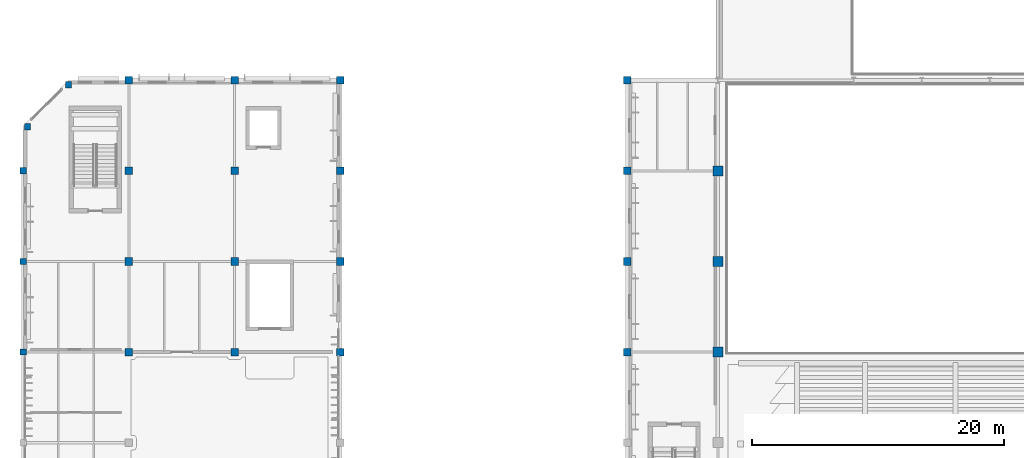
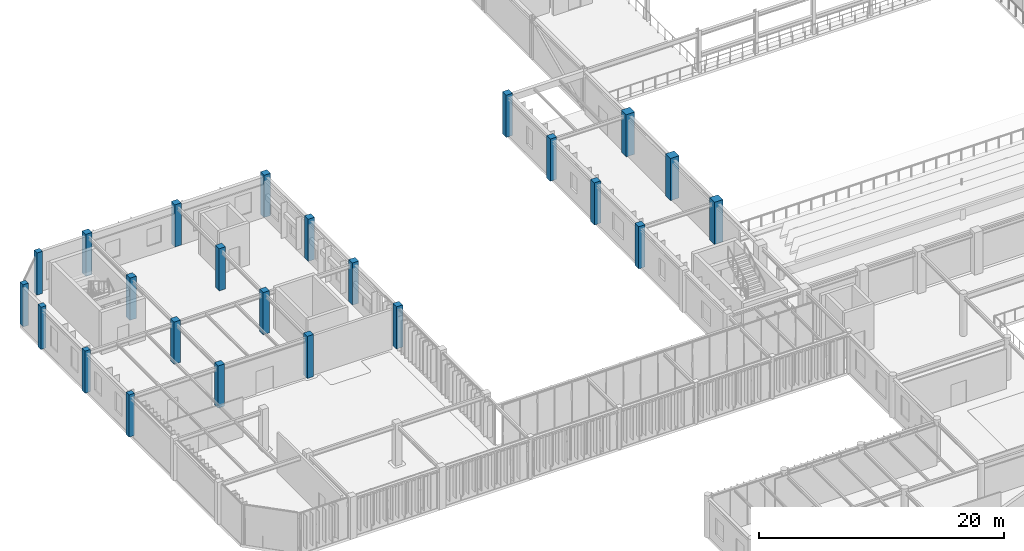
# One storey, part 6 of 104: 24 columns.
"""IFC4 building model written with IfcOpenShell, lengths in metres."""

from ifc_helpers import new_model, si_unit, direction, frame, origin, origin_2d, place, context, subcontext, project, spatial, rectangle, extrude, material, material_profile, profile_set, type_object, element, save


model = new_model("IFC4")

# Units and contexts
model_context = context("Model", 3, precision=1e-05, world=origin(), true_north=direction((0.0, 1.0)))
body_context = subcontext(model_context, "Body", "Model", "MODEL_VIEW")
ifc_project = project(units=[si_unit("LENGTHUNIT", "METRE"), si_unit("AREAUNIT", "SQUARE_METRE"), si_unit("VOLUMEUNIT", "CUBIC_METRE"), si_unit("PLANEANGLEUNIT", "RADIAN"), si_unit("MASSUNIT", "GRAM", prefix="KILO")], contexts=[model_context])

# Site, building, storey
site_placement = place(None, origin())
site = spatial("IfcSite", under=ifc_project, at=site_placement, CompositionType="ELEMENT")
building_placement = place(site_placement, origin())
building = spatial("IfcBuilding", under=site, at=building_placement, Name="Tazoul Stagehouse", CompositionType="ELEMENT")
storey_placement = place(building_placement, frame((0.0, 0.0, 9.0)))
storey = spatial("IfcBuildingStorey", under=building, at=storey_placement, Name="L02", CompositionType="ELEMENT", Elevation=9.0)

# Columns
ifc_material = material(Name="Concrete C40/50", Category="concrete")
ifc_material_profile_1 = material_profile(ifc_material, rectangle(XDim=0.5, YDim=0.5, at=origin_2d()), Name="RC 500x500")
ifc_profile_set_1 = profile_set([ifc_material_profile_1], Name="Concrete C40/50")
column_type_1 = type_object("IfcColumnType", Name="RC Column 500x500 (Exterior)", PredefinedType="COLUMN", material=ifc_profile_set_1)
for number, where, z_axis, x_axis, name in (
    (1, (2.39990234375, 66.199951171875, 0.0), (0.0, 0.0, 1.0), (1.0, 0.0, 0.0), "L02 Column C-02E at 1/K"),
    (2, (2.39990234375, 73.39990234375, 0.0), (0.0, 0.0, 1.0), (1.0, 0.0, 0.0), "L02 Column C-02E at 1/L"),
    (3, (2.39990234375, 80.60009765625, 0.0), (0.0, 0.0, 1.0), (1.0, 0.0, 0.0), "L02 Column C-02E at 1/M"),
    (4, (6.0, 87.449951171875, 0.0), (0.0, 0.0, 1.0), (1.0, 0.0, 0.0), "L02 Black-Box Chamfer Column C-02E (1)"),
    (5, (2.75, 84.10009765625, 0.0), (0.0, 0.0, 1.0), (1.0, 0.0, 0.0), "L02 Black-Box Chamfer Column C-02E (2)"),
):
    element("IfcColumn", number, at=place(storey_placement, frame(where, z_axis=z_axis, x_axis=x_axis)), inside=storey, type_object=column_type_1, Name=name, PredefinedType="COLUMN", context=body_context, shape_type="SweptSolid", body=[
        extrude(rectangle(XDim=0.5, YDim=0.5, at=origin_2d()), origin(), (0.0, 0.0, 1.0), 4.199951171875),
    ])
ifc_material_profile_2 = material_profile(ifc_material, rectangle(XDim=0.60009765625, YDim=0.60009765625, at=origin_2d()), Name="RC 600x600")
ifc_profile_set_2 = profile_set([ifc_material_profile_2], Name="Concrete C40/50")
column_type_2 = type_object("IfcColumnType", Name="RC Column 600x600", PredefinedType="COLUMN", material=ifc_profile_set_2)
for number, where, z_axis, x_axis, name in (
    (6, (10.800048828125, 66.199951171875, 0.0), (0.0, 0.0, 1.0), (1.0, 0.0, 0.0), "L02 Column C-03 at 2/K"),
    (7, (10.800048828125, 73.39990234375, 0.0), (0.0, 0.0, 1.0), (1.0, 0.0, 0.0), "L02 Column C-03 at 2/L"),
    (8, (10.800048828125, 80.60009765625, 0.0), (0.0, 0.0, 1.0), (1.0, 0.0, 0.0), "L02 Column C-03 at 2/M"),
    (9, (19.199951171875, 66.199951171875, 0.0), (0.0, 0.0, 1.0), (1.0, 0.0, 0.0), "L02 Column C-03 at 3/K"),
    (10, (19.199951171875, 73.39990234375, 0.0), (0.0, 0.0, 1.0), (1.0, 0.0, 0.0), "L02 Column C-03 at 3/L"),
    (11, (19.199951171875, 80.60009765625, 0.0), (0.0, 0.0, 1.0), (1.0, 0.0, 0.0), "L02 Column C-03 at 3/M"),
):
    element("IfcColumn", number, at=place(storey_placement, frame(where, z_axis=z_axis, x_axis=x_axis)), inside=storey, type_object=column_type_2, Name=name, PredefinedType="COLUMN", context=body_context, shape_type="SweptSolid", body=[
        extrude(rectangle(XDim=0.60009765625, YDim=0.60009765625, at=origin_2d()), origin(), (0.0, 0.0, 1.0), 4.199951171875),
    ])
ifc_material_profile_3 = material_profile(ifc_material, rectangle(XDim=0.60009765625, YDim=0.60009765625, at=origin_2d()), Name="RC 600x600")
ifc_profile_set_3 = profile_set([ifc_material_profile_3], Name="Concrete C40/50")
column_type_3 = type_object("IfcColumnType", Name="RC Column 600x600 (Exterior)", PredefinedType="COLUMN", material=ifc_profile_set_3)
for number, where, z_axis, x_axis, name in (
    (12, (10.800048828125, 87.800048828125, 0.0), (0.0, 0.0, 1.0), (1.0, 0.0, 0.0), "L02 Column C-03E at 2/N"),
    (13, (19.199951171875, 87.800048828125, 0.0), (0.0, 0.0, 1.0), (1.0, 0.0, 0.0), "L02 Column C-03E at 3/N"),
    (14, (27.60009765625, 66.199951171875, 0.0), (0.0, 0.0, 1.0), (1.0, 0.0, 0.0), "L02 Column C-03E at 4/K"),
    (15, (27.60009765625, 73.39990234375, 0.0), (0.0, 0.0, 1.0), (1.0, 0.0, 0.0), "L02 Column C-03E at 4/L"),
    (16, (27.60009765625, 80.60009765625, 0.0), (0.0, 0.0, 1.0), (1.0, 0.0, 0.0), "L02 Column C-03E at 4/M"),
    (17, (27.60009765625, 87.800048828125, 0.0), (0.0, 0.0, 1.0), (1.0, 0.0, 0.0), "L02 Column C-03E at 4/N"),
    (18, (50.39990234375, 66.199951171875, 0.0), (0.0, 0.0, 1.0), (1.0, 0.0, 0.0), "L02 Column C-03E at 7/K"),
    (19, (50.39990234375, 73.39990234375, 0.0), (0.0, 0.0, 1.0), (1.0, 0.0, 0.0), "L02 Column C-03E at 7/L"),
    (20, (50.39990234375, 80.60009765625, 0.0), (0.0, 0.0, 1.0), (1.0, 0.0, 0.0), "L02 Column C-03E at 7/M"),
    (21, (50.39990234375, 87.800048828125, 0.0), (0.0, 0.0, 1.0), (1.0, 0.0, 0.0), "L02 Column C-03E at 7/N"),
):
    element("IfcColumn", number, at=place(storey_placement, frame(where, z_axis=z_axis, x_axis=x_axis)), inside=storey, type_object=column_type_3, Name=name, PredefinedType="COLUMN", context=body_context, shape_type="SweptSolid", body=[
        extrude(rectangle(XDim=0.60009765625, YDim=0.60009765625, at=origin_2d()), origin(), (0.0, 0.0, 1.0), 4.199951171875),
    ])
ifc_material_profile_4 = material_profile(ifc_material, rectangle(XDim=0.800048828125, YDim=0.800048828125, at=origin_2d()), Name="RC 800x800")
ifc_profile_set_4 = profile_set([ifc_material_profile_4], Name="Concrete C40/50")
column_type_4 = type_object("IfcColumnType", Name="RC Column 800x800", PredefinedType="COLUMN", material=ifc_profile_set_4)
for number, where, z_axis, x_axis, name in (
    (22, (57.60009765625, 66.199951171875, 0.0), (0.0, 0.0, 1.0), (1.0, 0.0, 0.0), "L02 Column C-05 at 8/K"),
    (23, (57.60009765625, 73.39990234375, 0.0), (0.0, 0.0, 1.0), (1.0, 0.0, 0.0), "L02 Column C-05 at 8/L"),
    (24, (57.60009765625, 80.60009765625, 0.0), (0.0, 0.0, 1.0), (1.0, 0.0, 0.0), "L02 Column C-05 at 8/M"),
):
    element("IfcColumn", number, at=place(storey_placement, frame(where, z_axis=z_axis, x_axis=x_axis)), inside=storey, type_object=column_type_4, Name=name, PredefinedType="COLUMN", context=body_context, shape_type="SweptSolid", body=[
        extrude(rectangle(XDim=0.800048828125, YDim=0.800048828125, at=origin_2d()), origin(), (0.0, 0.0, 1.0), 4.199951171875),
    ])

save(model, "model.ifc")
